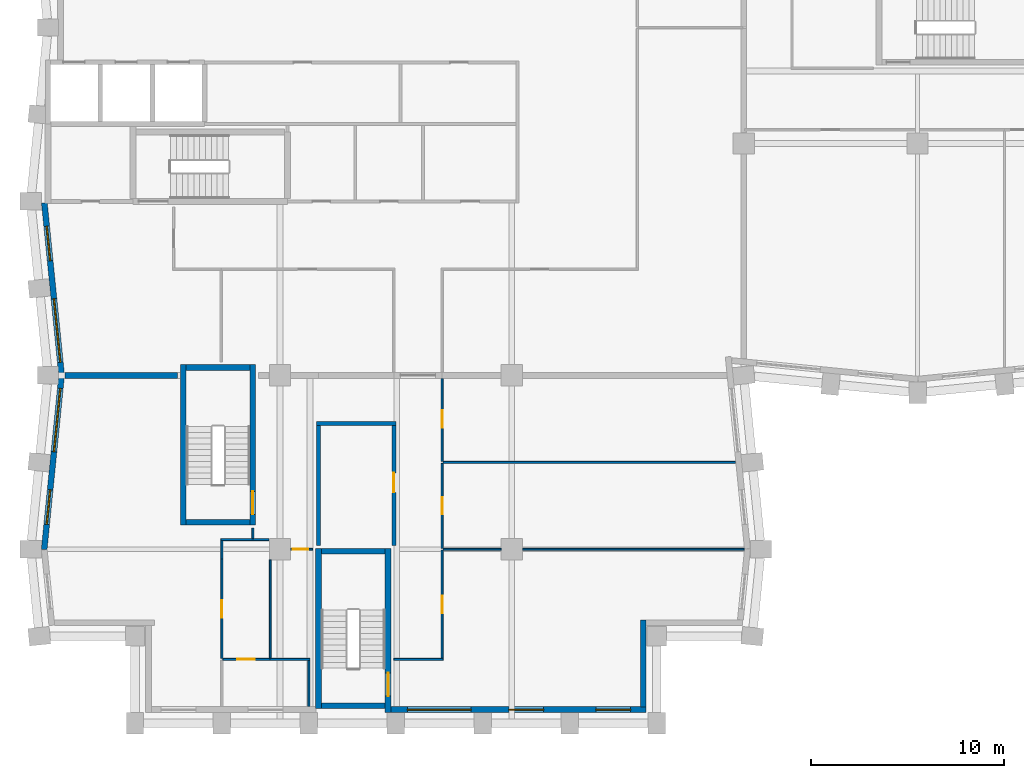
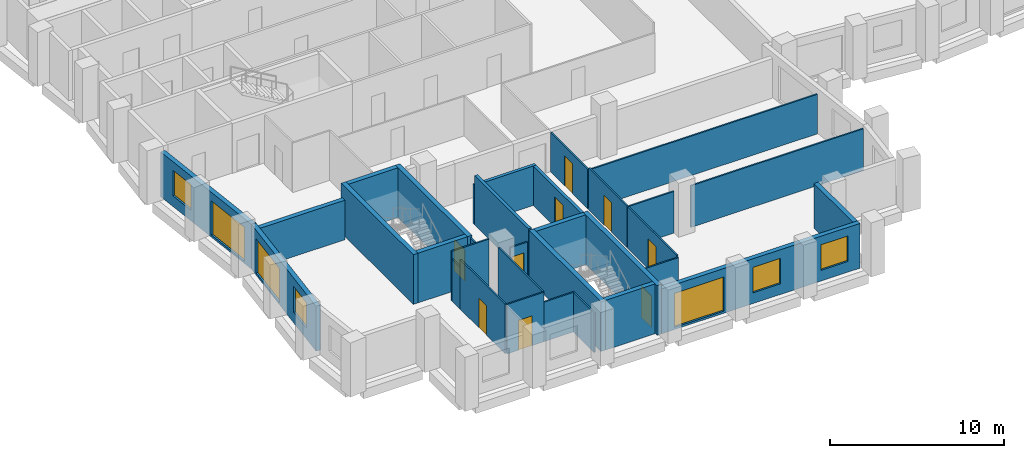
# One storey, part 3 of 10: 32 walls, 9 doors, 7 windows, 16 openings.
"""IFC4 building model written with IfcOpenShell, lengths in metres."""

from ifc_helpers import new_model, si_unit, direction, frame, frame_2d, origin, place, context, subcontext, project, spatial, rectangle, extrude, material, layer, layer_set, type_object, element, fill, save


model = new_model("IFC4")

# Units and contexts
model_context = context("Model", 3, precision=1e-05, world=origin(), true_north=direction((0.0, 1.0)))
body_context = subcontext(model_context, "Body", "Model", "MODEL_VIEW")
ifc_project = project(units=[si_unit("LENGTHUNIT", "METRE"), si_unit("AREAUNIT", "SQUARE_METRE"), si_unit("VOLUMEUNIT", "CUBIC_METRE"), si_unit("PLANEANGLEUNIT", "RADIAN"), si_unit("MASSUNIT", "GRAM", prefix="KILO")], contexts=[model_context])

# Site, building, storey
site_placement = place(None, origin())
site = spatial("IfcSite", under=ifc_project, at=site_placement, CompositionType="ELEMENT")
building_placement = place(site_placement, origin())
building = spatial("IfcBuilding", under=site, at=building_placement, Name="Brondeck Convention Tower", CompositionType="ELEMENT")
storey_placement = place(building_placement, frame((0.0, 0.0, 154.800048828125)))
storey = spatial("IfcBuildingStorey", under=building, at=storey_placement, Name="L37", CompositionType="ELEMENT", Elevation=154.800048828125)

# Wall
ifc_material_1 = material(Name="Concrete compartment wall C30/37", Category="concrete")
ifc_layer_1 = layer(ifc_material_1, 0.300048828125)
ifc_layer_set_1 = layer_set([ifc_layer_1], Name="Compartment wall 300")
wall_type_1 = type_object("IfcWallType", Name="Compartment wall 300", PredefinedType="PARTITIONING", material=ifc_layer_set_1)
wall_1_placement = place(storey_placement, frame((0.8740234375, 27.0, 0.0), z_axis=(0.0, 0.0, 1.0), x_axis=(1.0, 0.0, 0.0)))
element("IfcWall", 1, at=wall_1_placement, inside=storey, type_object=wall_type_1, Name="FLR-L37-W022", PredefinedType="PARTITIONING", context=body_context, shape_type="SweptSolid", body=[
    extrude(rectangle(XDim=5.825927734375, YDim=0.300048828125, at=frame_2d((2.9130859375, 0.0))), origin(), (0.0, 0.0, 1.0), 2.780029296875),
])

# Wall, openings, windows
ifc_material_2 = material(Name="Precast concrete C50/60 bronze finish", Category="concrete")
ifc_layer_2 = layer(ifc_material_2, 0.070068359375, Name="Bronze precast facing")
ifc_material_3 = material(Name="Mineral wool")
ifc_layer_3 = layer(ifc_material_3, 0.159912109375, Name="Insulation")
ifc_material_4 = material(Name="Concrete C35/45", Category="concrete")
ifc_layer_4 = layer(ifc_material_4, 0.070068359375, Name="Backing")
ifc_layer_set_2 = layer_set([ifc_layer_2, ifc_layer_3, ifc_layer_4], Name="External infill wall, precast concrete C50/60 bronze facing")
wall_type_2 = type_object("IfcWallType", Name="External infill wall, precast concrete C50/60 bronze facing", PredefinedType="SOLIDWALL", material=ifc_layer_set_2)
wall_2_placement = place(storey_placement, frame((30.949951171875, 9.699951171875, 0.0), z_axis=(0.0, 0.0, 1.0), x_axis=(-1.0, 0.0, 0.0)))
wall_2 = element("IfcWall", 2, at=wall_2_placement, inside=storey, type_object=wall_type_2, Name="ENV-EW-L37-P1-B-S9-04", PredefinedType="SOLIDWALL", context=body_context, shape_type="SweptSolid", body=[
    extrude(rectangle(XDim=13.199951171875, YDim=0.300048828125, at=frame_2d((6.60009765625, 0.0))), origin(), (0.0, 0.0, 1.0), 3.14990234375),
])
opening_1_placement = place(wall_2_placement, frame((0.800048828125, 0.0, 0.75)))
opening_1 = element("IfcOpeningElement", 3, at=opening_1_placement, cuts=wall_2, Name="Opening W10", PredefinedType="OPENING", context=body_context, shape_type="SweptSolid", body=[
    extrude(rectangle(XDim=1.800048828125, YDim=1.800048828125, at=frame_2d((0.89990234375, 0.89990234375))), frame((0.0, 0.159912109375, 0.0), z_axis=(0.0, -1.0, 0.0), x_axis=(1.0, 0.0, 0.0)), (0.0, 0.0, 1.0), 0.320068359375),
])
opening_2_placement = place(wall_2_placement, frame((5.300048828125, 0.0, 0.75)))
opening_2 = element("IfcOpeningElement", 4, at=opening_2_placement, cuts=wall_2, Name="Opening W10", PredefinedType="OPENING", context=body_context, shape_type="SweptSolid", body=[
    extrude(rectangle(XDim=1.800048828125, YDim=1.800048828125, at=frame_2d((0.89990234375, 0.89990234375))), frame((0.0, 0.159912109375, 0.0), z_axis=(0.0, -1.0, 0.0), x_axis=(1.0, 0.0, 0.0)), (0.0, 0.0, 1.0), 0.320068359375),
])
opening_3_placement = place(wall_2_placement, frame((9.050048828125, 0.0, 0.14990234375)))
opening_3 = element("IfcOpeningElement", 5, at=opening_3_placement, cuts=wall_2, Name="Opening W9", PredefinedType="OPENING", context=body_context, shape_type="SweptSolid", body=[
    extrude(rectangle(XDim=3.300048828125, YDim=2.39990234375, at=frame_2d((1.64990234375, 1.199951171875))), frame((0.0, 0.159912109375, 0.0), z_axis=(0.0, -1.0, 0.0), x_axis=(1.0, 0.0, 0.0)), (0.0, 0.0, 1.0), 0.320068359375),
])
ifc_material_5 = material(Name="Bronze tinted double glazing", Category="glass")
window_type_1 = type_object("IfcWindowType", Name="Glazed flute window, bronze tinted", PartitioningType="SINGLE_PANEL", PredefinedType="WINDOW", material=ifc_material_5)
window_1_placement = place(opening_3_placement, origin())
window_1 = element("IfcWindow", 6, at=window_1_placement, inside=storey, type_object=window_type_1, Name="ENV-WN-L37-P1-B-S9-04", OverallHeight=2.39990234375, OverallWidth=3.300048828125, PartitioningType="SINGLE_PANEL", PredefinedType="WINDOW", context=body_context, shape_type="SweptSolid", body=[
    extrude(rectangle(XDim=3.300048828125, YDim=2.39990234375, at=frame_2d((1.64990234375, 1.199951171875))), frame((0.0, 0.030029296875, 0.0), z_axis=(0.0, -1.0, 0.0), x_axis=(1.0, 0.0, 0.0)), (0.0, 0.0, 1.0), 0.06005859375),
])
fill(opening_3, window_1)
window_type_2 = type_object("IfcWindowType", Name="Punched window, bronze tinted", PartitioningType="SINGLE_PANEL", PredefinedType="WINDOW", material=ifc_material_5)
window_2_placement = place(opening_1_placement, origin())
window_2 = element("IfcWindow", 7, at=window_2_placement, inside=storey, type_object=window_type_2, Name="ENV-WN-L37-P1-B-S9-06", OverallHeight=1.800048828125, OverallWidth=1.800048828125, PartitioningType="SINGLE_PANEL", PredefinedType="WINDOW", context=body_context, shape_type="SweptSolid", body=[
    extrude(rectangle(XDim=1.800048828125, YDim=1.800048828125, at=frame_2d((0.89990234375, 0.89990234375))), frame((0.0, 0.030029296875, 0.0), z_axis=(0.0, -1.0, 0.0), x_axis=(1.0, 0.0, 0.0)), (0.0, 0.0, 1.0), 0.06005859375),
])
fill(opening_1, window_2)
window_3_placement = place(opening_2_placement, origin())
window_3 = element("IfcWindow", 8, at=window_3_placement, inside=storey, type_object=window_type_2, Name="ENV-WN-L37-P1-B-S9-05", OverallHeight=1.800048828125, OverallWidth=1.800048828125, PartitioningType="SINGLE_PANEL", PredefinedType="WINDOW", context=body_context, shape_type="SweptSolid", body=[
    extrude(rectangle(XDim=1.800048828125, YDim=1.800048828125, at=frame_2d((0.89990234375, 0.89990234375))), frame((0.0, 0.030029296875, 0.0), z_axis=(0.0, -1.0, 0.0), x_axis=(1.0, 0.0, 0.0)), (0.0, 0.0, 1.0), 0.06005859375),
])
fill(opening_2, window_3)

# Wall
wall_3_placement = place(storey_placement, frame((30.800048828125, 14.35009765625, 0.0), z_axis=(0.0, 0.0, 1.0), x_axis=(0.0, -1.0, 0.0)))
element("IfcWall", 9, at=wall_3_placement, inside=storey, type_object=wall_type_2, Name="ENV-EW-L37-P1-NC-SEB9-01", PredefinedType="SOLIDWALL", context=body_context, shape_type="SweptSolid", body=[
    extrude(rectangle(XDim=4.502197265625, YDim=0.300048828125, at=frame_2d((2.2509765625, 0.0))), origin(), (0.0, 0.0, 1.0), 3.14990234375),
])

# Wall, openings, windows
wall_4_placement = place(storey_placement, frame((0.705078125, 26.985107421875, 0.0), z_axis=(0.0, 0.0, 1.0), x_axis=(-0.099533329093, 0.995034228758, 0.0)))
wall_4 = element("IfcWall", 10, at=wall_4_placement, inside=storey, type_object=wall_type_2, Name="ENV-EW-L37-P1-B-W-06", PredefinedType="SOLIDWALL", context=body_context, shape_type="SweptSolid", body=[
    extrude(rectangle(XDim=8.97998046875, YDim=0.300048828125, at=frame_2d((4.489990234375, 0.0))), origin(), (0.0, 0.0, 1.0), 3.14990234375),
])
opening_4_placement = place(wall_4_placement, frame((0.6962890625, 0.0, 0.14990234375)))
opening_4 = element("IfcOpeningElement", 11, at=opening_4_placement, cuts=wall_4, Name="Opening W9", PredefinedType="OPENING", context=body_context, shape_type="SweptSolid", body=[
    extrude(rectangle(XDim=3.300048828125, YDim=2.39990234375, at=frame_2d((1.64990234375, 1.199951171875))), frame((0.0, 0.159912109375, 0.0), z_axis=(0.0, -1.0, 0.0), x_axis=(1.0, 0.0, 0.0)), (0.0, 0.0, 1.0), 0.320068359375),
])
opening_5_placement = place(wall_4_placement, frame((5.968505859375, 0.0, 0.75)))
opening_5 = element("IfcOpeningElement", 12, at=opening_5_placement, cuts=wall_4, Name="Opening W10", PredefinedType="OPENING", context=body_context, shape_type="SweptSolid", body=[
    extrude(rectangle(XDim=1.800048828125, YDim=1.800048828125, at=frame_2d((0.89990234375, 0.89990234375))), frame((0.0, 0.159912109375, 0.0), z_axis=(0.0, -1.0, 0.0), x_axis=(1.0, 0.0, 0.0)), (0.0, 0.0, 1.0), 0.320068359375),
])
window_4_placement = place(opening_4_placement, origin())
window_4 = element("IfcWindow", 13, at=window_4_placement, inside=storey, type_object=window_type_1, Name="ENV-WN-L37-P1-B-W-07", OverallHeight=2.39990234375, OverallWidth=3.300048828125, PartitioningType="SINGLE_PANEL", PredefinedType="WINDOW", context=body_context, shape_type="SweptSolid", body=[
    extrude(rectangle(XDim=3.300048828125, YDim=2.39990234375, at=frame_2d((1.64990234375, 1.199951171875))), frame((0.0, 0.030029296875, 0.0), z_axis=(0.0, -1.0, 0.0), x_axis=(1.0, 0.0, 0.0)), (0.0, 0.0, 1.0), 0.06005859375),
])
fill(opening_4, window_4)
window_5_placement = place(opening_5_placement, origin())
window_5 = element("IfcWindow", 14, at=window_5_placement, inside=storey, type_object=window_type_2, Name="ENV-WN-L37-P1-B-W-06", OverallHeight=1.800048828125, OverallWidth=1.800048828125, PartitioningType="SINGLE_PANEL", PredefinedType="WINDOW", context=body_context, shape_type="SweptSolid", body=[
    extrude(rectangle(XDim=1.800048828125, YDim=1.800048828125, at=frame_2d((0.89990234375, 0.89990234375))), frame((0.0, 0.030029296875, 0.0), z_axis=(0.0, -1.0, 0.0), x_axis=(1.0, 0.0, 0.0)), (0.0, 0.0, 1.0), 0.06005859375),
])
fill(opening_5, window_5)

wall_5_placement = place(storey_placement, frame((-0.197998046875, 17.985107421875, 0.0), z_axis=(0.0, 0.0, 1.0), x_axis=(0.099495688264, 0.995037993253, 0.0)))
wall_5 = element("IfcWall", 15, at=wall_5_placement, inside=storey, type_object=wall_type_2, Name="ENV-EW-L37-P1-B-W-08", PredefinedType="SOLIDWALL", context=body_context, shape_type="SweptSolid", body=[
    extrude(rectangle(XDim=9.030029296875, YDim=0.300048828125, at=frame_2d((4.51513671875, 0.0))), origin(), (0.0, 0.0, 1.0), 3.14990234375),
])
opening_6_placement = place(wall_5_placement, frame((1.30615234375, 0.0, 0.75)))
opening_6 = element("IfcOpeningElement", 16, at=opening_6_placement, cuts=wall_5, Name="Opening W10", PredefinedType="OPENING", context=body_context, shape_type="SweptSolid", body=[
    extrude(rectangle(XDim=1.800048828125, YDim=1.800048828125, at=frame_2d((0.89990234375, 0.89990234375))), frame((0.0, 0.159912109375, 0.0), z_axis=(0.0, -1.0, 0.0), x_axis=(1.0, 0.0, 0.0)), (0.0, 0.0, 1.0), 0.320068359375),
])
opening_7_placement = place(wall_5_placement, frame((5.07861328125, 0.0, 0.14990234375)))
opening_7 = element("IfcOpeningElement", 17, at=opening_7_placement, cuts=wall_5, Name="Opening W9", PredefinedType="OPENING", context=body_context, shape_type="SweptSolid", body=[
    extrude(rectangle(XDim=3.300048828125, YDim=2.39990234375, at=frame_2d((1.64990234375, 1.199951171875))), frame((0.0, 0.159912109375, 0.0), z_axis=(0.0, -1.0, 0.0), x_axis=(1.0, 0.0, 0.0)), (0.0, 0.0, 1.0), 0.320068359375),
])
window_6_placement = place(opening_7_placement, origin())
window_6 = element("IfcWindow", 18, at=window_6_placement, inside=storey, type_object=window_type_1, Name="ENV-WN-L37-P1-B-W-08", OverallHeight=2.39990234375, OverallWidth=3.300048828125, PartitioningType="SINGLE_PANEL", PredefinedType="WINDOW", context=body_context, shape_type="SweptSolid", body=[
    extrude(rectangle(XDim=3.300048828125, YDim=2.39990234375, at=frame_2d((1.64990234375, 1.199951171875))), frame((0.0, 0.030029296875, 0.0), z_axis=(0.0, -1.0, 0.0), x_axis=(1.0, 0.0, 0.0)), (0.0, 0.0, 1.0), 0.06005859375),
])
fill(opening_7, window_6)
window_7_placement = place(opening_6_placement, origin())
window_7 = element("IfcWindow", 19, at=window_7_placement, inside=storey, type_object=window_type_2, Name="ENV-WN-L37-P1-B-W-09", OverallHeight=1.800048828125, OverallWidth=1.800048828125, PartitioningType="SINGLE_PANEL", PredefinedType="WINDOW", context=body_context, shape_type="SweptSolid", body=[
    extrude(rectangle(XDim=1.800048828125, YDim=1.800048828125, at=frame_2d((0.89990234375, 0.89990234375))), frame((0.0, 0.030029296875, 0.0), z_axis=(0.0, -1.0, 0.0), x_axis=(1.0, 0.0, 0.0)), (0.0, 0.0, 1.0), 0.06005859375),
])
fill(opening_6, window_7)

# Wall, opening, door
ifc_material_6 = material(Name="Concrete block wall C16/20", Category="concrete")
ifc_layer_5 = layer(ifc_material_6, 0.199951171875)
ifc_layer_set_3 = layer_set([ifc_layer_5], Name="Plant room wall 200")
wall_type_3 = type_object("IfcWallType", Name="Plant room wall 200", PredefinedType="PARTITIONING", material=ifc_layer_set_3)
wall_6_placement = place(storey_placement, frame((17.89990234375, 18.199951171875, 0.0), z_axis=(0.0, 0.0, 1.0), x_axis=(0.0, 1.0, 0.0)))
wall_6 = element("IfcWall", 20, at=wall_6_placement, inside=storey, type_object=wall_type_3, Name="FLR-L37-W014", PredefinedType="PARTITIONING", context=body_context, shape_type="SweptSolid", body=[
    extrude(rectangle(XDim=6.199951171875, YDim=0.199951171875, at=frame_2d((3.10009765625, 0.0))), origin(), (0.0, 0.0, 1.0), 2.780029296875),
])
opening_8_placement = place(wall_6_placement, frame((2.75, 0.0, 0.0)))
opening_8 = element("IfcOpeningElement", 21, at=opening_8_placement, cuts=wall_6, Name="Opening OF-G-003", PredefinedType="OPENING", context=body_context, shape_type="SweptSolid", body=[
    extrude(rectangle(XDim=1.0, YDim=2.10009765625, at=frame_2d((0.5, 1.050048828125))), frame((0.0, 0.10986328125, 0.0), z_axis=(0.0, -1.0, 0.0), x_axis=(1.0, 0.0, 0.0)), (0.0, 0.0, 1.0), 0.219970703125),
])
ifc_material_7 = material(Name="Steel fire door leaf", Category="steel")
door_type_1 = type_object("IfcDoorType", Name="Plant room door 1000", OperationType="NOTDEFINED", PredefinedType="DOOR", material=ifc_material_7)
door_1_placement = place(opening_8_placement, origin())
door_1 = element("IfcDoor", 22, at=door_1_placement, inside=storey, type_object=door_type_1, Name="Door OF-G-003", OperationType="SINGLE_SWING_LEFT", OverallHeight=2.10009765625, OverallWidth=1.0, PredefinedType="DOOR", context=body_context, shape_type="SweptSolid", body=[
    extrude(rectangle(XDim=1.0, YDim=2.10009765625, at=frame_2d((0.5, 1.050048828125))), frame((0.0, 0.02490234375, 0.0), z_axis=(0.0, -1.0, 0.0), x_axis=(1.0, 0.0, 0.0)), (0.0, 0.0, 1.0), 0.050048828125),
])
fill(opening_8, door_1)

# Walls
wall_7_placement = place(storey_placement, frame((14.0, 24.39990234375, 0.0), z_axis=(0.0, 0.0, 1.0), x_axis=(0.0, -1.0, 0.0)))
element("IfcWall", 23, at=wall_7_placement, inside=storey, type_object=wall_type_3, Name="FLR-L37-W019", PredefinedType="PARTITIONING", context=body_context, shape_type="SweptSolid", body=[
    extrude(rectangle(XDim=6.199951171875, YDim=0.199951171875, at=frame_2d((3.10009765625, 0.0))), origin(), (0.0, 0.0, 1.0), 3.47998046875),
])
wall_8_placement = place(storey_placement, frame((18.0, 24.5, 0.0), z_axis=(0.0, 0.0, 1.0), x_axis=(-1.0, 0.0, 0.0)))
element("IfcWall", 24, at=wall_8_placement, inside=storey, type_object=wall_type_3, Name="FLR-L37-W020", PredefinedType="PARTITIONING", context=body_context, shape_type="SweptSolid", body=[
    extrude(rectangle(XDim=4.10009765625, YDim=0.199951171875, at=frame_2d((2.050048828125, 0.0))), origin(), (0.0, 0.0, 1.0), 2.780029296875),
])
ifc_material_8 = material(Name="Gypsum board partition on steel studs", Category="steel")
ifc_layer_6 = layer(ifc_material_8, 0.10009765625)
ifc_layer_set_4 = layer_set([ifc_layer_6], Name="Room partition 100")
wall_type_4 = type_object("IfcWallType", Name="Room partition 100", PredefinedType="PARTITIONING", material=ifc_layer_set_4)
wall_9_placement = place(storey_placement, frame((13.5, 12.25, 0.0), z_axis=(0.0, 0.0, 1.0), x_axis=(0.0, -1.0, 0.0)))
element("IfcWall", 25, at=wall_9_placement, inside=storey, type_object=wall_type_4, Name="FLR-L37-W003", PredefinedType="PARTITIONING", context=body_context, shape_type="SweptSolid", body=[
    extrude(rectangle(XDim=2.3798828125, YDim=0.10009765625, at=frame_2d((1.18994140625, 0.0))), origin(), (0.0, 0.0, 1.0), 2.780029296875),
])

# Wall, opening, door
wall_10_placement = place(storey_placement, frame((11.5, 12.300048828125, 0.0), z_axis=(0.0, 0.0, 1.0), x_axis=(-1.0, 0.0, 0.0)))
wall_10 = element("IfcWall", 26, at=wall_10_placement, inside=storey, type_object=wall_type_4, Name="FLR-L37-W004", PredefinedType="PARTITIONING", context=body_context, shape_type="SweptSolid", body=[
    extrude(rectangle(XDim=2.449951171875, YDim=0.10009765625, at=frame_2d((1.22509765625, 0.0))), origin(), (0.0, 0.0, 1.0), 3.47998046875),
])
opening_9_placement = place(wall_10_placement, frame((0.800048828125, 0.0, 0.0)))
opening_9 = element("IfcOpeningElement", 27, at=opening_9_placement, cuts=wall_10, Name="Opening OF-G-001", PredefinedType="OPENING", context=body_context, shape_type="SweptSolid", body=[
    extrude(rectangle(XDim=0.89990234375, YDim=2.10009765625, at=frame_2d((0.449951171875, 1.050048828125))), frame((0.0, 0.06005859375, 0.0), z_axis=(0.0, -1.0, 0.0), x_axis=(1.0, 0.0, 0.0)), (0.0, 0.0, 1.0), 0.1201171875),
])
ifc_material_9 = material(Name="Solid timber door leaf", Category="wood")
door_type_2 = type_object("IfcDoorType", Name="Single door 900", OperationType="NOTDEFINED", PredefinedType="DOOR", material=ifc_material_9)
door_2_placement = place(opening_9_placement, origin())
door_2 = element("IfcDoor", 28, at=door_2_placement, inside=storey, type_object=door_type_2, Name="Door OF-G-001", OperationType="SINGLE_SWING_RIGHT", OverallHeight=2.10009765625, OverallWidth=0.89990234375, PredefinedType="DOOR", context=body_context, shape_type="SweptSolid", body=[
    extrude(rectangle(XDim=0.89990234375, YDim=2.10009765625, at=frame_2d((0.449951171875, 1.050048828125))), frame((0.0, 0.02490234375, 0.0), z_axis=(0.0, -1.0, 0.0), x_axis=(1.0, 0.0, 0.0)), (0.0, 0.0, 1.0), 0.050048828125),
])
fill(opening_9, door_2)

# Walls
wall_11_placement = place(storey_placement, frame((11.5, 12.300048828125, 0.0), z_axis=(0.0, 0.0, 1.0), x_axis=(1.0, 0.0, 0.0)))
element("IfcWall", 29, at=wall_11_placement, inside=storey, type_object=wall_type_4, Name="FLR-L37-W005", PredefinedType="PARTITIONING", context=body_context, shape_type="SweptSolid", body=[
    extrude(rectangle(XDim=2.050048828125, YDim=0.10009765625, at=frame_2d((1.02490234375, 0.0))), origin(), (0.0, 0.0, 1.0), 2.780029296875),
])
wall_12_placement = place(storey_placement, frame((20.449951171875, 12.300048828125, 0.0), z_axis=(0.0, 0.0, 1.0), x_axis=(-1.0, 0.0, 0.0)))
element("IfcWall", 30, at=wall_12_placement, inside=storey, type_object=wall_type_4, Name="FLR-L37-W006", PredefinedType="PARTITIONING", context=body_context, shape_type="SweptSolid", body=[
    extrude(rectangle(XDim=2.550048828125, YDim=0.10009765625, at=frame_2d((1.27490234375, 0.0))), origin(), (0.0, 0.0, 1.0), 2.780029296875),
])

# Wall, opening, door
wall_13_placement = place(storey_placement, frame((9.0, 12.35009765625, 0.0), z_axis=(0.0, 0.0, 1.0), x_axis=(0.0, 1.0, 0.0)))
wall_13 = element("IfcWall", 31, at=wall_13_placement, inside=storey, type_object=wall_type_4, Name="FLR-L37-W007", PredefinedType="PARTITIONING", context=body_context, shape_type="SweptSolid", body=[
    extrude(rectangle(XDim=5.14990234375, YDim=0.10009765625, at=frame_2d((2.574951171875, 0.0))), origin(), (0.0, 0.0, 1.0), 3.47998046875),
])
opening_10_placement = place(wall_13_placement, frame((2.10009765625, 0.0, 0.0)))
opening_10 = element("IfcOpeningElement", 32, at=opening_10_placement, cuts=wall_13, Name="Opening OF-G-012", PredefinedType="OPENING", context=body_context, shape_type="SweptSolid", body=[
    extrude(rectangle(XDim=0.89990234375, YDim=2.10009765625, at=frame_2d((0.449951171875, 1.050048828125))), frame((0.0, 0.06005859375, 0.0), z_axis=(0.0, -1.0, 0.0), x_axis=(1.0, 0.0, 0.0)), (0.0, 0.0, 1.0), 0.1201171875),
])
door_3_placement = place(opening_10_placement, origin())
door_3 = element("IfcDoor", 33, at=door_3_placement, inside=storey, type_object=door_type_2, Name="Door OF-G-012", OperationType="SINGLE_SWING_RIGHT", OverallHeight=2.10009765625, OverallWidth=0.89990234375, PredefinedType="DOOR", context=body_context, shape_type="SweptSolid", body=[
    extrude(rectangle(XDim=0.89990234375, YDim=2.10009765625, at=frame_2d((0.449951171875, 1.050048828125))), frame((0.0, 0.02490234375, 0.0), z_axis=(0.0, -1.0, 0.0), x_axis=(1.0, 0.0, 0.0)), (0.0, 0.0, 1.0), 0.050048828125),
])
fill(opening_10, door_3)

# Walls
wall_14_placement = place(storey_placement, frame((11.5, 17.445068359375, 0.0), z_axis=(0.0, 0.0, 1.0), x_axis=(0.0, -1.0, 0.0)))
element("IfcWall", 34, at=wall_14_placement, inside=storey, type_object=wall_type_4, Name="FLR-L37-W008", PredefinedType="PARTITIONING", context=body_context, shape_type="SweptSolid", body=[
    extrude(rectangle(XDim=5.094970703125, YDim=0.10009765625, at=frame_2d((2.54736328125, 0.0))), origin(), (0.0, 0.0, 1.0), 3.47998046875),
])
wall_15_placement = place(storey_placement, frame((9.0, 17.5, 0.0), z_axis=(0.0, 0.0, 1.0), x_axis=(0.0, 1.0, 0.0)))
element("IfcWall", 35, at=wall_15_placement, inside=storey, type_object=wall_type_4, Name="FLR-L37-W009", PredefinedType="PARTITIONING", context=body_context, shape_type="SweptSolid", body=[
    extrude(rectangle(XDim=0.949951171875, YDim=0.10009765625, at=frame_2d((0.47509765625, 0.0))), origin(), (0.0, 0.0, 1.0), 2.929931640625),
])

# Wall, opening, door
wall_16_placement = place(storey_placement, frame((20.39990234375, 17.949951171875, 0.0), z_axis=(0.0, 0.0, 1.0), x_axis=(0.0, -1.0, 0.0)))
wall_16 = element("IfcWall", 36, at=wall_16_placement, inside=storey, type_object=wall_type_4, Name="FLR-L37-W010", PredefinedType="PARTITIONING", context=body_context, shape_type="SweptSolid", body=[
    extrude(rectangle(XDim=5.599853515625, YDim=0.10009765625, at=frame_2d((2.7998046875, 0.0))), origin(), (0.0, 0.0, 1.0), 2.929931640625),
])
opening_11_placement = place(wall_16_placement, frame((2.35009765625, 0.0, 0.0)))
opening_11 = element("IfcOpeningElement", 37, at=opening_11_placement, cuts=wall_16, Name="Opening OF-G-011", PredefinedType="OPENING", context=body_context, shape_type="SweptSolid", body=[
    extrude(rectangle(XDim=0.89990234375, YDim=2.10009765625, at=frame_2d((0.449951171875, 1.050048828125))), frame((0.0, 0.06005859375, 0.0), z_axis=(0.0, -1.0, 0.0), x_axis=(1.0, 0.0, 0.0)), (0.0, 0.0, 1.0), 0.1201171875),
])
door_4_placement = place(opening_11_placement, origin())
door_4 = element("IfcDoor", 38, at=door_4_placement, inside=storey, type_object=door_type_2, Name="Door OF-G-011", OperationType="SINGLE_SWING_LEFT", OverallHeight=2.10009765625, OverallWidth=0.89990234375, PredefinedType="DOOR", context=body_context, shape_type="SweptSolid", body=[
    extrude(rectangle(XDim=0.89990234375, YDim=2.10009765625, at=frame_2d((0.449951171875, 1.050048828125))), frame((0.0, 0.02490234375, 0.0), z_axis=(0.0, -1.0, 0.0), x_axis=(1.0, 0.0, 0.0)), (0.0, 0.0, 1.0), 0.050048828125),
])
fill(opening_11, door_4)

wall_17_placement = place(storey_placement, frame((13.699951171875, 18.0, 0.0), z_axis=(0.0, 0.0, 1.0), x_axis=(-1.0, 0.0, 0.0)))
wall_17 = element("IfcWall", 39, at=wall_17_placement, inside=storey, type_object=wall_type_4, Name="FLR-L37-W011", PredefinedType="PARTITIONING", context=body_context, shape_type="SweptSolid", body=[
    extrude(rectangle(XDim=1.14501953125, YDim=0.10009765625, at=frame_2d((0.572509765625, 0.0))), origin(), (0.0, 0.0, 1.0), 2.780029296875),
])
opening_12_placement = place(wall_17_placement, frame((0.2451171875, 0.0, 0.0)))
opening_12 = element("IfcOpeningElement", 40, at=opening_12_placement, cuts=wall_17, Name="Opening OF-G-004", PredefinedType="OPENING", context=body_context, shape_type="SweptSolid", body=[
    extrude(rectangle(XDim=0.800048828125, YDim=2.10009765625, at=frame_2d((0.39990234375, 1.050048828125))), frame((0.0, 0.06005859375, 0.0), z_axis=(0.0, -1.0, 0.0), x_axis=(1.0, 0.0, 0.0)), (0.0, 0.0, 1.0), 0.1201171875),
])
ifc_material_10 = material(Name="Steel service door leaf", Category="steel")
door_type_3 = type_object("IfcDoorType", Name="Service door 800", OperationType="NOTDEFINED", PredefinedType="DOOR", material=ifc_material_10)
door_5_placement = place(opening_12_placement, origin())
door_5 = element("IfcDoor", 41, at=door_5_placement, inside=storey, type_object=door_type_3, Name="Door OF-G-004", OperationType="SINGLE_SWING_LEFT", OverallHeight=2.10009765625, OverallWidth=0.800048828125, PredefinedType="DOOR", context=body_context, shape_type="SweptSolid", body=[
    extrude(rectangle(XDim=0.800048828125, YDim=2.10009765625, at=frame_2d((0.39990234375, 1.050048828125))), frame((0.0, 0.02490234375, 0.0), z_axis=(0.0, -1.0, 0.0), x_axis=(1.0, 0.0, 0.0)), (0.0, 0.0, 1.0), 0.050048828125),
])
fill(opening_12, door_5)

# Walls
wall_18_placement = place(storey_placement, frame((23.445068359375, 18.0, 0.0), z_axis=(0.0, 0.0, 1.0), x_axis=(-1.0, 0.0, 0.0)))
element("IfcWall", 42, at=wall_18_placement, inside=storey, type_object=wall_type_4, Name="FLR-L37-W012", PredefinedType="PARTITIONING", context=body_context, shape_type="SweptSolid", body=[
    extrude(rectangle(XDim=2.9951171875, YDim=0.10009765625, at=frame_2d((1.49755859375, 0.0))), origin(), (0.0, 0.0, 1.0), 2.929931640625),
])
wall_19_placement = place(storey_placement, frame((36.02587890625, 18.0, 0.0), z_axis=(0.0, 0.0, 1.0), x_axis=(-1.0, 0.0, 0.0)))
element("IfcWall", 43, at=wall_19_placement, inside=storey, type_object=wall_type_4, Name="FLR-L37-W013", PredefinedType="PARTITIONING", context=body_context, shape_type="SweptSolid", body=[
    extrude(rectangle(XDim=11.470947265625, YDim=0.10009765625, at=frame_2d((5.7353515625, 0.0))), origin(), (0.0, 0.0, 1.0), 2.929931640625),
])
wall_20_placement = place(storey_placement, frame((8.949951171875, 18.5, 0.0), z_axis=(0.0, 0.0, 1.0), x_axis=(1.0, 0.0, 0.0)))
element("IfcWall", 44, at=wall_20_placement, inside=storey, type_object=wall_type_4, Name="FLR-L37-W015", PredefinedType="PARTITIONING", context=body_context, shape_type="SweptSolid", body=[
    extrude(rectangle(XDim=2.47998046875, YDim=0.10009765625, at=frame_2d((1.239990234375, 0.0))), origin(), (0.0, 0.0, 1.0), 3.47998046875),
])
wall_21_placement = place(storey_placement, frame((10.60009765625, 18.550048828125, 0.0), z_axis=(0.0, 0.0, 1.0), x_axis=(0.0, 1.0, 0.0)))
element("IfcWall", 45, at=wall_21_placement, inside=storey, type_object=wall_type_4, Name="FLR-L37-W016", PredefinedType="PARTITIONING", context=body_context, shape_type="SweptSolid", body=[
    extrude(rectangle(XDim=0.550048828125, YDim=0.10009765625, at=frame_2d((0.27490234375, 0.0))), origin(), (0.0, 0.0, 1.0), 3.47998046875),
])

# Wall, opening, door
wall_22_placement = place(storey_placement, frame((20.39990234375, 22.449951171875, 0.0), z_axis=(0.0, 0.0, 1.0), x_axis=(0.0, -1.0, 0.0)))
wall_22 = element("IfcWall", 46, at=wall_22_placement, inside=storey, type_object=wall_type_4, Name="FLR-L37-W017", PredefinedType="PARTITIONING", context=body_context, shape_type="SweptSolid", body=[
    extrude(rectangle(XDim=4.39990234375, YDim=0.10009765625, at=frame_2d((2.199951171875, 0.0))), origin(), (0.0, 0.0, 1.0), 2.929931640625),
])
opening_13_placement = place(wall_22_placement, frame((1.75, 0.0, 0.0)))
opening_13 = element("IfcOpeningElement", 47, at=opening_13_placement, cuts=wall_22, Name="Opening OF-G-010", PredefinedType="OPENING", context=body_context, shape_type="SweptSolid", body=[
    extrude(rectangle(XDim=0.89990234375, YDim=2.10009765625, at=frame_2d((0.449951171875, 1.050048828125))), frame((0.0, 0.06005859375, 0.0), z_axis=(0.0, -1.0, 0.0), x_axis=(1.0, 0.0, 0.0)), (0.0, 0.0, 1.0), 0.1201171875),
])
door_6_placement = place(opening_13_placement, origin())
door_6 = element("IfcDoor", 48, at=door_6_placement, inside=storey, type_object=door_type_2, Name="Door OF-G-010", OperationType="SINGLE_SWING_RIGHT", OverallHeight=2.10009765625, OverallWidth=0.89990234375, PredefinedType="DOOR", context=body_context, shape_type="SweptSolid", body=[
    extrude(rectangle(XDim=0.89990234375, YDim=2.10009765625, at=frame_2d((0.449951171875, 1.050048828125))), frame((0.0, 0.02490234375, 0.0), z_axis=(0.0, -1.0, 0.0), x_axis=(1.0, 0.0, 0.0)), (0.0, 0.0, 1.0), 0.050048828125),
])
fill(opening_13, door_6)

# Wall
wall_23_placement = place(storey_placement, frame((35.57568359375, 22.5, 0.0), z_axis=(0.0, 0.0, 1.0), x_axis=(-1.0, 0.0, 0.0)))
element("IfcWall", 49, at=wall_23_placement, inside=storey, type_object=wall_type_4, Name="FLR-L37-W018", PredefinedType="PARTITIONING", context=body_context, shape_type="SweptSolid", body=[
    extrude(rectangle(XDim=15.125732421875, YDim=0.10009765625, at=frame_2d((7.56298828125, 0.0))), origin(), (0.0, 0.0, 1.0), 2.780029296875),
])

# Wall, opening, door
wall_24_placement = place(storey_placement, frame((20.39990234375, 26.830078125, 0.0), z_axis=(0.0, 0.0, 1.0), x_axis=(0.0, -1.0, 0.0)))
wall_24 = element("IfcWall", 50, at=wall_24_placement, inside=storey, type_object=wall_type_4, Name="FLR-L37-W021", PredefinedType="PARTITIONING", context=body_context, shape_type="SweptSolid", body=[
    extrude(rectangle(XDim=4.280029296875, YDim=0.10009765625, at=frame_2d((2.14013671875, 0.0))), origin(), (0.0, 0.0, 1.0), 2.780029296875),
])
opening_14_placement = place(wall_24_placement, frame((1.6298828125, 0.0, 0.0)))
opening_14 = element("IfcOpeningElement", 51, at=opening_14_placement, cuts=wall_24, Name="Opening OF-G-009", PredefinedType="OPENING", context=body_context, shape_type="SweptSolid", body=[
    extrude(rectangle(XDim=0.89990234375, YDim=2.10009765625, at=frame_2d((0.449951171875, 1.050048828125))), frame((0.0, 0.06005859375, 0.0), z_axis=(0.0, -1.0, 0.0), x_axis=(1.0, 0.0, 0.0)), (0.0, 0.0, 1.0), 0.1201171875),
])
door_7_placement = place(opening_14_placement, origin())
door_7 = element("IfcDoor", 52, at=door_7_placement, inside=storey, type_object=door_type_2, Name="Door OF-G-009", OperationType="SINGLE_SWING_LEFT", OverallHeight=2.10009765625, OverallWidth=0.89990234375, PredefinedType="DOOR", context=body_context, shape_type="SweptSolid", body=[
    extrude(rectangle(XDim=0.89990234375, YDim=2.10009765625, at=frame_2d((0.449951171875, 1.050048828125))), frame((0.0, 0.02490234375, 0.0), z_axis=(0.0, -1.0, 0.0), x_axis=(1.0, 0.0, 0.0)), (0.0, 0.0, 1.0), 0.050048828125),
])
fill(opening_14, door_7)

# Walls
ifc_material_11 = material(Name="Concrete C70/85", Category="concrete")
ifc_layer_7 = layer(ifc_material_11, 0.300048828125)
ifc_layer_set_5 = layer_set([ifc_layer_7], Name="Stair enclosure wall 300 Concrete C70/85")
wall_type_5 = type_object("IfcWallType", Name="Stair enclosure wall 300 Concrete C70/85", PredefinedType="SHEAR", material=ifc_layer_set_5)
for number, where, z_axis, x_axis, name in (
    (53, (14.14990234375, 9.89990234375, 0.0), (0.0, 0.0, 1.0), (1.0, 0.0, 0.0), "L37 core wall"),
    (54, (14.14990234375, 17.89990234375, 0.0), (0.0, 0.0, 1.0), (1.0, 0.0, 0.0), "L37 core wall"),
    (55, (7.14990234375, 19.39990234375, 0.0), (0.0, 0.0, 1.0), (1.0, 0.0, 0.0), "L37 core wall"),
    (56, (7.14990234375, 27.39990234375, 0.0), (0.0, 0.0, 1.0), (1.0, 0.0, 0.0), "L37 core wall"),
):
    element("IfcWall", number, at=place(storey_placement, frame(where, z_axis=z_axis, x_axis=x_axis)), inside=storey, type_object=wall_type_5, Name=name, PredefinedType="SHEAR", context=body_context, shape_type="SweptSolid", body=[
        extrude(rectangle(XDim=3.300048828125, YDim=0.300048828125, at=frame_2d((1.64990234375, 0.0))), origin(), (0.0, 0.0, 1.0), 3.5),
    ])
wall_25_placement = place(storey_placement, frame((7.0, 19.25, 0.0), z_axis=(0.0, 0.0, 1.0), x_axis=(0.0, 1.0, 0.0)))
element("IfcWall", 57, at=wall_25_placement, inside=storey, type_object=wall_type_5, Name="L37 core wall", PredefinedType="SHEAR", context=body_context, shape_type="SweptSolid", body=[
    extrude(rectangle(XDim=8.300048828125, YDim=0.300048828125, at=frame_2d((4.14990234375, 0.0))), origin(), (0.0, 0.0, 1.0), 3.5),
])

# Wall, opening, door
wall_26_placement = place(storey_placement, frame((10.60009765625, 19.25, 0.0), z_axis=(0.0, 0.0, 1.0), x_axis=(0.0, 1.0, 0.0)))
wall_26 = element("IfcWall", 58, at=wall_26_placement, inside=storey, type_object=wall_type_5, Name="L37 core wall", PredefinedType="SHEAR", context=body_context, shape_type="SweptSolid", body=[
    extrude(rectangle(XDim=8.300048828125, YDim=0.300048828125, at=frame_2d((4.14990234375, 0.0))), origin(), (0.0, 0.0, 1.0), 3.5),
])
opening_15_placement = place(wall_26_placement, frame((0.550048828125, 0.0, 0.0)))
opening_15 = element("IfcOpeningElement", 59, at=opening_15_placement, cuts=wall_26, Name="Opening C22-17", PredefinedType="OPENING", context=body_context, shape_type="SweptSolid", body=[
    extrude(rectangle(XDim=1.199951171875, YDim=2.199951171875, at=frame_2d((0.60009765625, 1.10009765625))), frame((0.0, 0.159912109375, 0.0), z_axis=(0.0, -1.0, 0.0), x_axis=(1.0, 0.0, 0.0)), (0.0, 0.0, 1.0), 0.320068359375),
])
ifc_material_12 = material(Name="Steel fire door", Category="steel")
door_type_4 = type_object("IfcDoorType", Name="Stair door 1200x2200 EI 90", OperationType="NOTDEFINED", PredefinedType="DOOR", material=ifc_material_12)
door_8_placement = place(opening_15_placement, origin())
door_8 = element("IfcDoor", 60, at=door_8_placement, inside=storey, type_object=door_type_4, Name="L37 Stair door ST-BE", OperationType="SINGLE_SWING_RIGHT", OverallHeight=2.199951171875, OverallWidth=1.199951171875, PredefinedType="DOOR", context=body_context, shape_type="SweptSolid", body=[
    extrude(rectangle(XDim=1.199951171875, YDim=2.199951171875, at=frame_2d((0.60009765625, 1.10009765625))), frame((0.0, 0.02490234375, 0.0), z_axis=(0.0, -1.0, 0.0), x_axis=(1.0, 0.0, 0.0)), (0.0, 0.0, 1.0), 0.050048828125),
])
fill(opening_15, door_8)

# Wall
wall_27_placement = place(storey_placement, frame((14.0, 9.75, 0.0), z_axis=(0.0, 0.0, 1.0), x_axis=(0.0, 1.0, 0.0)))
element("IfcWall", 61, at=wall_27_placement, inside=storey, type_object=wall_type_5, Name="L37 core wall", PredefinedType="SHEAR", context=body_context, shape_type="SweptSolid", body=[
    extrude(rectangle(XDim=8.300048828125, YDim=0.300048828125, at=frame_2d((4.14990234375, 0.0))), origin(), (0.0, 0.0, 1.0), 3.5),
])

# Wall, opening, door
wall_28_placement = place(storey_placement, frame((17.60009765625, 9.550048828125, 0.0), z_axis=(0.0, 0.0, 1.0), x_axis=(0.0, 1.0, 0.0)))
wall_28 = element("IfcWall", 62, at=wall_28_placement, inside=storey, type_object=wall_type_5, Name="L37 core wall", PredefinedType="SHEAR", context=body_context, shape_type="SweptSolid", body=[
    extrude(rectangle(XDim=8.5, YDim=0.300048828125, at=frame_2d((4.25, 0.0))), origin(), (0.0, 0.0, 1.0), 3.5),
])
opening_16_placement = place(wall_28_placement, frame((0.85009765625, 0.0, 0.0)))
opening_16 = element("IfcOpeningElement", 63, at=opening_16_placement, cuts=wall_28, Name="Opening C22-18", PredefinedType="OPENING", context=body_context, shape_type="SweptSolid", body=[
    extrude(rectangle(XDim=1.199951171875, YDim=2.199951171875, at=frame_2d((0.60009765625, 1.10009765625))), frame((0.0, 0.159912109375, 0.0), z_axis=(0.0, -1.0, 0.0), x_axis=(1.0, 0.0, 0.0)), (0.0, 0.0, 1.0), 0.320068359375),
])
door_9_placement = place(opening_16_placement, origin())
door_9 = element("IfcDoor", 64, at=door_9_placement, inside=storey, type_object=door_type_4, Name="L37 Stair door ST-BF", OperationType="SINGLE_SWING_LEFT", OverallHeight=2.199951171875, OverallWidth=1.199951171875, PredefinedType="DOOR", context=body_context, shape_type="SweptSolid", body=[
    extrude(rectangle(XDim=1.199951171875, YDim=2.199951171875, at=frame_2d((0.60009765625, 1.10009765625))), frame((0.0, 0.02490234375, 0.0), z_axis=(0.0, -1.0, 0.0), x_axis=(1.0, 0.0, 0.0)), (0.0, 0.0, 1.0), 0.050048828125),
])
fill(opening_16, door_9)

save(model, "model.ifc")
